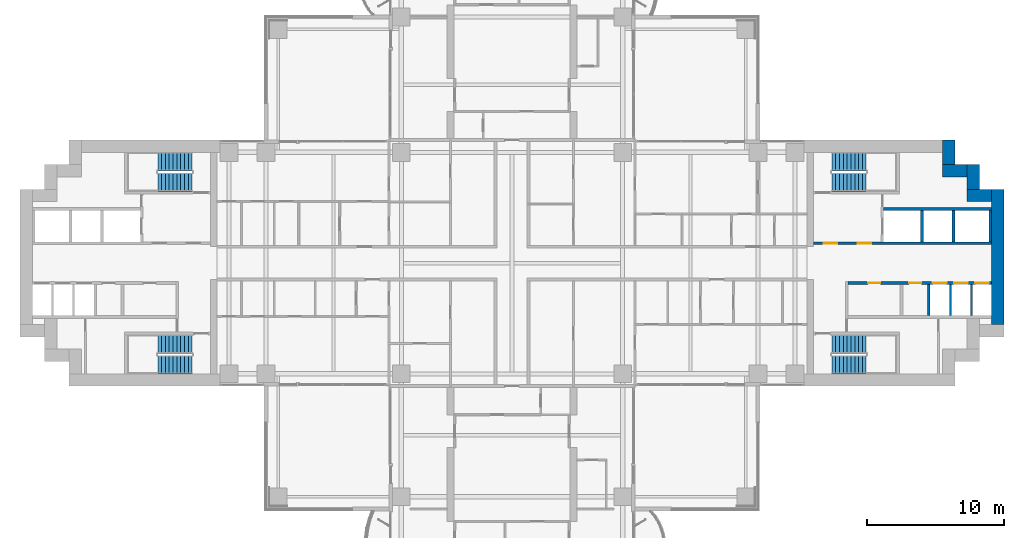
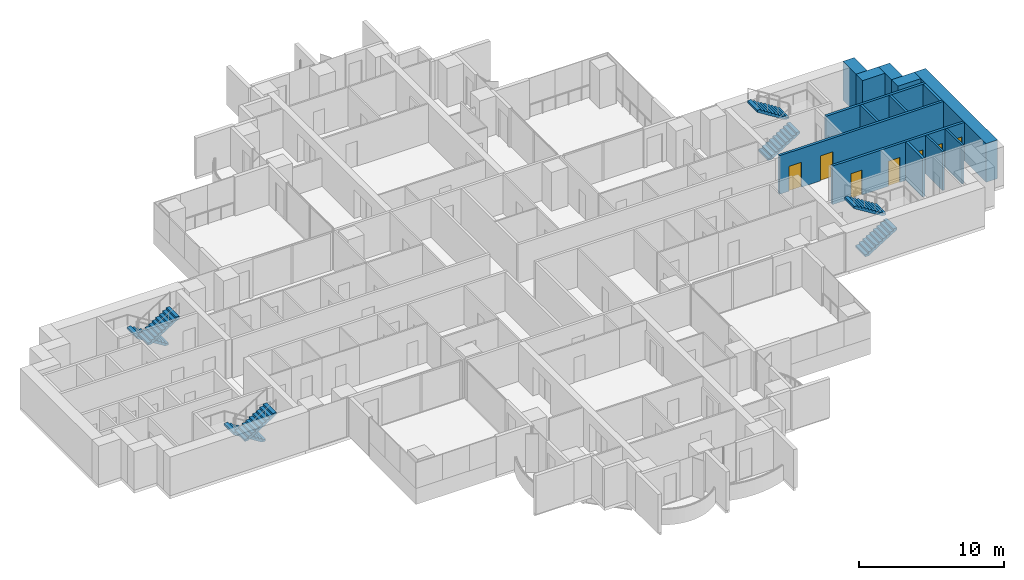
# One storey, part 16 of 20: 14 walls, 8 stair flights, 7 doors, 7 openings, 4 elements without a shape of their own.
"""IFC4 building model written with IfcOpenShell, lengths in metres."""

from ifc_helpers import new_model, si_unit, direction, frame, frame_2d, origin, place, context, subcontext, project, spatial, polyline, rectangle, outline, extrude, material, layer, layer_set, type_object, element, fill, aggregate, save


model = new_model("IFC4")

# Units and contexts
model_context = context("Model", 3, precision=1e-05, world=origin(), true_north=direction((0.0, 1.0)))
body_context = subcontext(model_context, "Body", "Model", "MODEL_VIEW")
ifc_project = project(units=[si_unit("LENGTHUNIT", "METRE"), si_unit("AREAUNIT", "SQUARE_METRE"), si_unit("VOLUMEUNIT", "CUBIC_METRE"), si_unit("PLANEANGLEUNIT", "RADIAN"), si_unit("MASSUNIT", "GRAM", prefix="KILO")], contexts=[model_context])

# Site, building, storey
site_placement = place(None, origin())
site = spatial("IfcSite", under=ifc_project, at=site_placement, CompositionType="ELEMENT")
building_placement = place(site_placement, origin())
building = spatial("IfcBuilding", under=site, at=building_placement, Name="Perihelion Cross Residences", CompositionType="ELEMENT")
storey_placement = place(building_placement, frame((0.0, 0.0, 68.0)))
storey = spatial("IfcBuildingStorey", under=building, at=storey_placement, Name="L14", CompositionType="ELEMENT", Elevation=68.0)

# Walls
ifc_material_1 = material(Name="Concrete C60/75", Category="concrete")
ifc_layer_1 = layer(ifc_material_1, 0.89990234375)
ifc_layer_set_1 = layer_set([ifc_layer_1], Name="Core wall, outer 900")
wall_type_1 = type_object("IfcWallType", Name="Core wall, outer 900", PredefinedType="SHEAR", material=ifc_layer_set_1)
wall_1_placement = place(storey_placement, frame((35.550048828125, -4.5, 0.0), z_axis=(0.0, 0.0, 1.0), x_axis=(0.0, 1.0, 0.0)))
element("IfcWall", 1, at=wall_1_placement, inside=storey, type_object=wall_type_1, Name="East core core wall, outer", PredefinedType="SHEAR", context=body_context, shape_type="SweptSolid", body=[
    extrude(rectangle(XDim=9.89990234375, YDim=0.89990234375, at=frame_2d((4.949951171875, 0.0))), origin(), (0.0, 0.0, 1.0), 3.25),
])
for number, where, z_axis, x_axis, name in (
    (2, (33.300048828125, 4.949951171875, 0.0), (0.0, 0.0, 1.0), (1.0, 0.0, 0.0), "East core core wall, outer"),
    (3, (33.75, 5.39990234375, 0.0), (0.0, 0.0, 1.0), (0.0, 1.0, 0.0), "East core core wall, outer"),
    (4, (31.5, 6.75, 0.0), (0.0, 0.0, 1.0), (1.0, 0.0, 0.0), "East core core wall, outer"),
    (5, (31.949951171875, 7.199951171875, 0.0), (0.0, 0.0, 1.0), (0.0, 1.0, 0.0), "East core core wall, outer"),
):
    element("IfcWall", number, at=place(storey_placement, frame(where, z_axis=z_axis, x_axis=x_axis)), inside=storey, type_object=wall_type_1, Name=name, PredefinedType="SHEAR", context=body_context, shape_type="SweptSolid", body=[
        extrude(rectangle(XDim=1.800048828125, YDim=0.89990234375, at=frame_2d((0.89990234375, 0.0))), origin(), (0.0, 0.0, 1.0), 3.25),
    ])
ifc_material_2 = material(Name="Concrete C50/60", Category="concrete")
ifc_layer_2 = layer(ifc_material_2, 0.14990234375)
ifc_layer_set_2 = layer_set([ifc_layer_2], Name="Shaft wall 150")
wall_type_2 = type_object("IfcWallType", Name="Shaft wall 150", PredefinedType="SOLIDWALL", material=ifc_layer_set_2)
for number, where, z_axis, x_axis, name in (
    (6, (32.074951171875, -3.85009765625, 0.0), (0.0, 0.0, 1.0), (0.0, 1.0, 0.0), "East core shaft wall"),
    (7, (33.625, -3.85009765625, 0.0), (0.0, 0.0, 1.0), (0.0, 1.0, 0.0), "East core shaft wall"),
):
    element("IfcWall", number, at=place(storey_placement, frame(where, z_axis=z_axis, x_axis=x_axis)), inside=storey, type_object=wall_type_2, Name=name, PredefinedType="SOLIDWALL", context=body_context, shape_type="SweptSolid", body=[
        extrude(rectangle(XDim=2.300048828125, YDim=0.14990234375, at=frame_2d((1.14990234375, 0.0))), origin(), (0.0, 0.0, 1.0), 3.25),
    ])

# Wall, openings, doors
ifc_material_3 = material(Name="Concrete C50/60", Category="concrete")
ifc_layer_3 = layer(ifc_material_3, 0.199951171875)
ifc_layer_set_3 = layer_set([ifc_layer_3], Name="Shaft wall 200")
wall_type_3 = type_object("IfcWallType", Name="Shaft wall 200", PredefinedType="SOLIDWALL", material=ifc_layer_set_3)
wall_2_placement = place(storey_placement, frame((22.050048828125, 1.449951171875, 0.0), z_axis=(0.0, 0.0, 1.0), x_axis=(1.0, 0.0, 0.0)))
wall_2 = element("IfcWall", 8, at=wall_2_placement, inside=storey, type_object=wall_type_3, Name="East core shaft wall", PredefinedType="SOLIDWALL", context=body_context, shape_type="SweptSolid", body=[
    extrude(rectangle(XDim=13.050048828125, YDim=0.199951171875, at=frame_2d((6.52490234375, 0.0))), origin(), (0.0, 0.0, 1.0), 3.25),
])
opening_1_placement = place(wall_2_placement, frame((0.75, 0.0, 0.0)))
opening_1 = element("IfcOpeningElement", 9, at=opening_1_placement, cuts=wall_2, Name="Opening L14.C07", PredefinedType="OPENING", context=body_context, shape_type="SweptSolid", body=[
    extrude(rectangle(XDim=1.0, YDim=2.10009765625, at=frame_2d((0.5, 1.050048828125))), frame((0.0, 0.10986328125, 0.0), z_axis=(0.0, -1.0, 0.0), x_axis=(1.0, 0.0, 0.0)), (0.0, 0.0, 1.0), 0.219970703125),
])
opening_2_placement = place(wall_2_placement, frame((3.25, 0.0, 0.0)))
opening_2 = element("IfcOpeningElement", 10, at=opening_2_placement, cuts=wall_2, Name="Opening L14.C09", PredefinedType="OPENING", context=body_context, shape_type="SweptSolid", body=[
    extrude(rectangle(XDim=1.0, YDim=2.10009765625, at=frame_2d((0.5, 1.050048828125))), frame((0.0, 0.10986328125, 0.0), z_axis=(0.0, -1.0, 0.0), x_axis=(1.0, 0.0, 0.0)), (0.0, 0.0, 1.0), 0.219970703125),
])
ifc_material_4 = material(Name="Steel, powder coated", Category="steel")
door_type_1 = type_object("IfcDoorType", Name="Lobby door 1000", OperationType="SINGLE_SWING_LEFT", PredefinedType="DOOR", material=ifc_material_4)
door_1_placement = place(opening_1_placement, origin())
door_1 = element("IfcDoor", 11, at=door_1_placement, inside=storey, type_object=door_type_1, Name="East core firefighting lobby door", OperationType="SINGLE_SWING_LEFT", OverallHeight=2.10009765625, OverallWidth=1.0, PredefinedType="DOOR", context=body_context, shape_type="SweptSolid", body=[
    extrude(rectangle(XDim=1.0, YDim=2.10009765625, at=frame_2d((0.5, 1.050048828125))), frame((0.0, 0.02490234375, 0.0), z_axis=(0.0, -1.0, 0.0), x_axis=(1.0, 0.0, 0.0)), (0.0, 0.0, 1.0), 0.050048828125),
])
fill(opening_1, door_1)
door_2_placement = place(opening_2_placement, origin())
door_2 = element("IfcDoor", 12, at=door_2_placement, inside=storey, type_object=door_type_1, Name="East core firefighting lobby door", OperationType="SINGLE_SWING_LEFT", OverallHeight=2.10009765625, OverallWidth=1.0, PredefinedType="DOOR", context=body_context, shape_type="SweptSolid", body=[
    extrude(rectangle(XDim=1.0, YDim=2.10009765625, at=frame_2d((0.5, 1.050048828125))), frame((0.0, 0.02490234375, 0.0), z_axis=(0.0, -1.0, 0.0), x_axis=(1.0, 0.0, 0.0)), (0.0, 0.0, 1.0), 0.050048828125),
])
fill(opening_2, door_2)

wall_3_placement = place(storey_placement, frame((24.60009765625, -1.449951171875, 0.0), z_axis=(0.0, 0.0, 1.0), x_axis=(1.0, 0.0, 0.0)))
wall_3 = element("IfcWall", 13, at=wall_3_placement, inside=storey, type_object=wall_type_3, Name="East core shaft wall", PredefinedType="SOLIDWALL", context=body_context, shape_type="SweptSolid", body=[
    extrude(rectangle(XDim=10.5, YDim=0.199951171875, at=frame_2d((5.25, 0.0))), origin(), (0.0, 0.0, 1.0), 3.25),
])
opening_3_placement = place(wall_3_placement, frame((6.199951171875, 0.0, 0.0)))
opening_3 = element("IfcOpeningElement", 14, at=opening_3_placement, cuts=wall_3, Name="Opening L14.C02", PredefinedType="OPENING", context=body_context, shape_type="SweptSolid", body=[
    extrude(rectangle(XDim=1.0, YDim=2.10009765625, at=frame_2d((0.5, 1.050048828125))), frame((0.0, 0.10986328125, 0.0), z_axis=(0.0, -1.0, 0.0), x_axis=(1.0, 0.0, 0.0)), (0.0, 0.0, 1.0), 0.219970703125),
])
opening_4_placement = place(wall_3_placement, frame((7.75, 0.0, 0.0)))
opening_4 = element("IfcOpeningElement", 15, at=opening_4_placement, cuts=wall_3, Name="Opening L14.C03", PredefinedType="OPENING", context=body_context, shape_type="SweptSolid", body=[
    extrude(rectangle(XDim=1.0, YDim=2.10009765625, at=frame_2d((0.5, 1.050048828125))), frame((0.0, 0.10986328125, 0.0), z_axis=(0.0, -1.0, 0.0), x_axis=(1.0, 0.0, 0.0)), (0.0, 0.0, 1.0), 0.219970703125),
])
opening_5_placement = place(wall_3_placement, frame((9.300048828125, 0.0, 0.0)))
opening_5 = element("IfcOpeningElement", 16, at=opening_5_placement, cuts=wall_3, Name="Opening L14.C04", PredefinedType="OPENING", context=body_context, shape_type="SweptSolid", body=[
    extrude(rectangle(XDim=1.0, YDim=2.10009765625, at=frame_2d((0.5, 1.050048828125))), frame((0.0, 0.10986328125, 0.0), z_axis=(0.0, -1.0, 0.0), x_axis=(1.0, 0.0, 0.0)), (0.0, 0.0, 1.0), 0.219970703125),
])
opening_6_placement = place(wall_3_placement, frame((1.449951171875, 0.0, 0.0)))
opening_6 = element("IfcOpeningElement", 17, at=opening_6_placement, cuts=wall_3, Name="Opening L14.C10", PredefinedType="OPENING", context=body_context, shape_type="SweptSolid", body=[
    extrude(rectangle(XDim=0.89990234375, YDim=2.10009765625, at=frame_2d((0.449951171875, 1.050048828125))), frame((0.0, 0.10986328125, 0.0), z_axis=(0.0, -1.0, 0.0), x_axis=(1.0, 0.0, 0.0)), (0.0, 0.0, 1.0), 0.219970703125),
])
opening_7_placement = place(wall_3_placement, frame((4.449951171875, 0.0, 0.0)))
opening_7 = element("IfcOpeningElement", 18, at=opening_7_placement, cuts=wall_3, Name="Opening L14.C12", PredefinedType="OPENING", context=body_context, shape_type="SweptSolid", body=[
    extrude(rectangle(XDim=0.89990234375, YDim=2.10009765625, at=frame_2d((0.449951171875, 1.050048828125))), frame((0.0, 0.10986328125, 0.0), z_axis=(0.0, -1.0, 0.0), x_axis=(1.0, 0.0, 0.0)), (0.0, 0.0, 1.0), 0.219970703125),
])
ifc_material_5 = material(Name="Stainless steel", Category="steel")
door_type_2 = type_object("IfcDoorType", Name="Landing door 1000", OperationType="DOUBLE_DOOR_SLIDING", PredefinedType="DOOR", material=ifc_material_5)
door_3_placement = place(opening_3_placement, origin())
door_3 = element("IfcDoor", 19, at=door_3_placement, inside=storey, type_object=door_type_2, Name="Landing door, East core low-rise lift 1", OperationType="DOUBLE_DOOR_SLIDING", OverallHeight=2.10009765625, OverallWidth=1.0, PredefinedType="DOOR", context=body_context, shape_type="SweptSolid", body=[
    extrude(rectangle(XDim=1.0, YDim=2.10009765625, at=frame_2d((0.5, 1.050048828125))), frame((0.0, 0.02490234375, 0.0), z_axis=(0.0, -1.0, 0.0), x_axis=(1.0, 0.0, 0.0)), (0.0, 0.0, 1.0), 0.050048828125),
])
fill(opening_3, door_3)
door_4_placement = place(opening_4_placement, origin())
door_4 = element("IfcDoor", 20, at=door_4_placement, inside=storey, type_object=door_type_2, Name="Landing door, East core low-rise lift 2", OperationType="DOUBLE_DOOR_SLIDING", OverallHeight=2.10009765625, OverallWidth=1.0, PredefinedType="DOOR", context=body_context, shape_type="SweptSolid", body=[
    extrude(rectangle(XDim=1.0, YDim=2.10009765625, at=frame_2d((0.5, 1.050048828125))), frame((0.0, 0.02490234375, 0.0), z_axis=(0.0, -1.0, 0.0), x_axis=(1.0, 0.0, 0.0)), (0.0, 0.0, 1.0), 0.050048828125),
])
fill(opening_4, door_4)
door_5_placement = place(opening_5_placement, origin())
door_5 = element("IfcDoor", 21, at=door_5_placement, inside=storey, type_object=door_type_2, Name="Landing door, East core low-rise lift 3", OperationType="DOUBLE_DOOR_SLIDING", OverallHeight=2.10009765625, OverallWidth=1.0, PredefinedType="DOOR", context=body_context, shape_type="SweptSolid", body=[
    extrude(rectangle(XDim=1.0, YDim=2.10009765625, at=frame_2d((0.5, 1.050048828125))), frame((0.0, 0.02490234375, 0.0), z_axis=(0.0, -1.0, 0.0), x_axis=(1.0, 0.0, 0.0)), (0.0, 0.0, 1.0), 0.050048828125),
])
fill(opening_5, door_5)
ifc_material_6 = material(Name="Steel, powder coated", Category="steel")
door_type_3 = type_object("IfcDoorType", Name="Service room door 900", OperationType="SINGLE_SWING_LEFT", PredefinedType="DOOR", material=ifc_material_6)
door_6_placement = place(opening_6_placement, origin())
door_6 = element("IfcDoor", 22, at=door_6_placement, inside=storey, type_object=door_type_3, Name="East core service room door", OperationType="SINGLE_SWING_LEFT", OverallHeight=2.10009765625, OverallWidth=0.89990234375, PredefinedType="DOOR", context=body_context, shape_type="SweptSolid", body=[
    extrude(rectangle(XDim=0.89990234375, YDim=2.10009765625, at=frame_2d((0.449951171875, 1.050048828125))), frame((0.0, 0.02490234375, 0.0), z_axis=(0.0, -1.0, 0.0), x_axis=(1.0, 0.0, 0.0)), (0.0, 0.0, 1.0), 0.050048828125),
])
fill(opening_6, door_6)
door_7_placement = place(opening_7_placement, origin())
door_7 = element("IfcDoor", 23, at=door_7_placement, inside=storey, type_object=door_type_3, Name="East core service room door", OperationType="SINGLE_SWING_LEFT", OverallHeight=2.10009765625, OverallWidth=0.89990234375, PredefinedType="DOOR", context=body_context, shape_type="SweptSolid", body=[
    extrude(rectangle(XDim=0.89990234375, YDim=2.10009765625, at=frame_2d((0.449951171875, 1.050048828125))), frame((0.0, 0.02490234375, 0.0), z_axis=(0.0, -1.0, 0.0), x_axis=(1.0, 0.0, 0.0)), (0.0, 0.0, 1.0), 0.050048828125),
])
fill(opening_7, door_7)

# Walls
wall_4_placement = place(storey_placement, frame((27.199951171875, 3.949951171875, 0.0), z_axis=(0.0, 0.0, 1.0), x_axis=(1.0, 0.0, 0.0)))
element("IfcWall", 24, at=wall_4_placement, inside=storey, type_object=wall_type_3, Name="East core shaft wall", PredefinedType="SOLIDWALL", context=body_context, shape_type="SweptSolid", body=[
    extrude(rectangle(XDim=7.900146484375, YDim=0.199951171875, at=frame_2d((3.9501953125, 0.0))), origin(), (0.0, 0.0, 1.0), 3.25),
])
for number, where, z_axis, x_axis, name in (
    (25, (30.0, 1.550048828125, 0.0), (0.0, 0.0, 1.0), (0.0, 1.0, 0.0), "East core shaft wall"),
    (26, (32.300048828125, 1.550048828125, 0.0), (0.0, 0.0, 1.0), (0.0, 1.0, 0.0), "East core shaft wall"),
    (27, (35.0, 1.550048828125, 0.0), (0.0, 0.0, 1.0), (0.0, 1.0, 0.0), "East core shaft wall"),
    (28, (30.5, -3.85009765625, 0.0), (0.0, 0.0, 1.0), (0.0, 1.0, 0.0), "East core shaft wall"),
):
    element("IfcWall", number, at=place(storey_placement, frame(where, z_axis=z_axis, x_axis=x_axis)), inside=storey, type_object=wall_type_3, Name=name, PredefinedType="SOLIDWALL", context=body_context, shape_type="SweptSolid", body=[
        extrude(rectangle(XDim=2.300048828125, YDim=0.199951171875, at=frame_2d((1.14990234375, 0.0))), origin(), (0.0, 0.0, 1.0), 3.25),
    ])

# Stair, stair flights
ifc_material_7 = material(Name="Concrete C40/50", Category="concrete")
stair_type = type_object("IfcStairType", Name="Exit stair, half-turn", PredefinedType="HALF_TURN_STAIR", material=ifc_material_7)
stair_1_placement = place(storey_placement, origin())
stair_1 = element("IfcStair", 29, at=stair_1_placement, inside=storey, type_object=stair_type, Name="L14 East core exit stair 1", PredefinedType="HALF_TURN_STAIR")
ifc_material_8 = material(Name="Concrete C40/50", Category="concrete")
stair_flight_type = type_object("IfcStairFlightType", Name="Exit stair flight", PredefinedType="STRAIGHT", material=ifc_material_8)
stair_flight_1_placement = place(storey_placement, frame((23.39990234375, 5.925048828125, 0.0), z_axis=(0.0, 0.0, 1.0), x_axis=(1.0, 0.0, 0.0)))
stair_flight_1 = element("IfcStairFlight", 30, at=stair_flight_1_placement, type_object=stair_flight_type, Name="ST-E1 flight 1", NumberOfRisers=10, NumberOfTreads=9, PredefinedType="STRAIGHT", RiserHeight=0.175, TreadLength=0.28, context=body_context, shape_type="SweptSolid", body=[
    extrude(outline(polyline([(0.0, 0.0), (0.0, 0.175048828125), (0.280029296875, 0.175048828125), (0.280029296875, 0.35009765625), (0.56005859375, 0.35009765625), (0.56005859375, 0.52490234375), (0.840087890625, 0.52490234375), (0.840087890625, 0.699951171875), (1.1201171875, 0.699951171875), (1.1201171875, 0.875), (1.39990234375, 0.875), (1.39990234375, 1.050048828125), (1.679931640625, 1.050048828125), (1.679931640625, 1.22509765625), (1.9599609375, 1.22509765625), (1.9599609375, 1.39990234375), (2.239990234375, 1.39990234375), (2.239990234375, 1.574951171875), (2.52001953125, 1.574951171875), (2.52001953125, 1.75), (2.52001953125, 1.398193359375), (0.28271484375, 0.0), (0.0, 0.0)])), frame((0.0, 0.675048828125, 0.0), z_axis=(0.0, -1.0, 0.0), x_axis=(1.0, 0.0, 0.0)), (0.0, 0.0, 1.0), 1.35009765625),
])
stair_flight_2_placement = place(storey_placement, frame((25.919921875, 7.425048828125, 1.75), z_axis=(0.0, 0.0, 1.0), x_axis=(-1.0, 0.0, 0.0)))
stair_flight_2 = element("IfcStairFlight", 31, at=stair_flight_2_placement, type_object=stair_flight_type, Name="ST-E1 flight 2", NumberOfRisers=10, NumberOfTreads=9, PredefinedType="STRAIGHT", RiserHeight=0.175, TreadLength=0.28, context=body_context, shape_type="SweptSolid", body=[
    extrude(outline(polyline([(0.0, 0.0), (0.0, 0.175048828125), (0.280029296875, 0.175048828125), (0.280029296875, 0.35009765625), (0.56005859375, 0.35009765625), (0.56005859375, 0.52490234375), (0.840087890625, 0.52490234375), (0.840087890625, 0.699951171875), (1.1201171875, 0.699951171875), (1.1201171875, 0.875), (1.39990234375, 0.875), (1.39990234375, 1.050048828125), (1.679931640625, 1.050048828125), (1.679931640625, 1.22509765625), (1.9599609375, 1.22509765625), (1.9599609375, 1.39990234375), (2.239990234375, 1.39990234375), (2.239990234375, 1.574951171875), (2.52001953125, 1.574951171875), (2.52001953125, 1.75), (2.52001953125, 1.398193359375), (0.28271484375, 0.0), (0.0, 0.0)])), frame((0.0, 0.675048828125, 0.0), z_axis=(0.0, -1.0, 0.0), x_axis=(1.0, 0.0, 0.0)), (0.0, 0.0, 1.0), 1.35009765625),
])
aggregate(stair_1, [stair_flight_1, stair_flight_2])

stair_2_placement = place(storey_placement, origin())
stair_2 = element("IfcStair", 32, at=stair_2_placement, inside=storey, type_object=stair_type, Name="L14 East core exit stair 2", PredefinedType="HALF_TURN_STAIR")
stair_flight_3_placement = place(storey_placement, frame((23.39990234375, -7.425048828125, 0.0), z_axis=(0.0, 0.0, 1.0), x_axis=(1.0, 0.0, 0.0)))
stair_flight_3 = element("IfcStairFlight", 33, at=stair_flight_3_placement, type_object=stair_flight_type, Name="ST-E2 flight 1", NumberOfRisers=10, NumberOfTreads=9, PredefinedType="STRAIGHT", RiserHeight=0.175, TreadLength=0.28, context=body_context, shape_type="SweptSolid", body=[
    extrude(outline(polyline([(0.0, 0.0), (0.0, 0.175048828125), (0.280029296875, 0.175048828125), (0.280029296875, 0.35009765625), (0.56005859375, 0.35009765625), (0.56005859375, 0.52490234375), (0.840087890625, 0.52490234375), (0.840087890625, 0.699951171875), (1.1201171875, 0.699951171875), (1.1201171875, 0.875), (1.39990234375, 0.875), (1.39990234375, 1.050048828125), (1.679931640625, 1.050048828125), (1.679931640625, 1.22509765625), (1.9599609375, 1.22509765625), (1.9599609375, 1.39990234375), (2.239990234375, 1.39990234375), (2.239990234375, 1.574951171875), (2.52001953125, 1.574951171875), (2.52001953125, 1.75), (2.52001953125, 1.398193359375), (0.28271484375, 0.0), (0.0, 0.0)])), frame((0.0, 0.675048828125, 0.0), z_axis=(0.0, -1.0, 0.0), x_axis=(1.0, 0.0, 0.0)), (0.0, 0.0, 1.0), 1.35009765625),
])
stair_flight_4_placement = place(storey_placement, frame((25.919921875, -5.925048828125, 1.75), z_axis=(0.0, 0.0, 1.0), x_axis=(-1.0, 0.0, 0.0)))
stair_flight_4 = element("IfcStairFlight", 34, at=stair_flight_4_placement, type_object=stair_flight_type, Name="ST-E2 flight 2", NumberOfRisers=10, NumberOfTreads=9, PredefinedType="STRAIGHT", RiserHeight=0.175, TreadLength=0.28, context=body_context, shape_type="SweptSolid", body=[
    extrude(outline(polyline([(0.0, 0.0), (0.0, 0.175048828125), (0.280029296875, 0.175048828125), (0.280029296875, 0.35009765625), (0.56005859375, 0.35009765625), (0.56005859375, 0.52490234375), (0.840087890625, 0.52490234375), (0.840087890625, 0.699951171875), (1.1201171875, 0.699951171875), (1.1201171875, 0.875), (1.39990234375, 0.875), (1.39990234375, 1.050048828125), (1.679931640625, 1.050048828125), (1.679931640625, 1.22509765625), (1.9599609375, 1.22509765625), (1.9599609375, 1.39990234375), (2.239990234375, 1.39990234375), (2.239990234375, 1.574951171875), (2.52001953125, 1.574951171875), (2.52001953125, 1.75), (2.52001953125, 1.398193359375), (0.28271484375, 0.0), (0.0, 0.0)])), frame((0.0, 0.675048828125, 0.0), z_axis=(0.0, -1.0, 0.0), x_axis=(1.0, 0.0, 0.0)), (0.0, 0.0, 1.0), 1.35009765625),
])
aggregate(stair_2, [stair_flight_3, stair_flight_4])

stair_3_placement = place(storey_placement, origin())
stair_3 = element("IfcStair", 35, at=stair_3_placement, inside=storey, type_object=stair_type, Name="L14 West core exit stair 1", PredefinedType="HALF_TURN_STAIR")
stair_flight_5_placement = place(storey_placement, frame((-23.39990234375, 7.425048828125, 0.0), z_axis=(0.0, 0.0, 1.0), x_axis=(-1.0, 0.0, 0.0)))
stair_flight_5 = element("IfcStairFlight", 36, at=stair_flight_5_placement, type_object=stair_flight_type, Name="ST-W1 flight 1", NumberOfRisers=10, NumberOfTreads=9, PredefinedType="STRAIGHT", RiserHeight=0.175, TreadLength=0.28, context=body_context, shape_type="SweptSolid", body=[
    extrude(outline(polyline([(0.0, 0.0), (0.0, 0.175048828125), (0.280029296875, 0.175048828125), (0.280029296875, 0.35009765625), (0.56005859375, 0.35009765625), (0.56005859375, 0.52490234375), (0.840087890625, 0.52490234375), (0.840087890625, 0.699951171875), (1.1201171875, 0.699951171875), (1.1201171875, 0.875), (1.39990234375, 0.875), (1.39990234375, 1.050048828125), (1.679931640625, 1.050048828125), (1.679931640625, 1.22509765625), (1.9599609375, 1.22509765625), (1.9599609375, 1.39990234375), (2.239990234375, 1.39990234375), (2.239990234375, 1.574951171875), (2.52001953125, 1.574951171875), (2.52001953125, 1.75), (2.52001953125, 1.398193359375), (0.28271484375, 0.0), (0.0, 0.0)])), frame((0.0, 0.675048828125, 0.0), z_axis=(0.0, -1.0, 0.0), x_axis=(1.0, 0.0, 0.0)), (0.0, 0.0, 1.0), 1.35009765625),
])
stair_flight_6_placement = place(storey_placement, frame((-25.919921875, 5.925048828125, 1.75), z_axis=(0.0, 0.0, 1.0), x_axis=(1.0, 0.0, 0.0)))
stair_flight_6 = element("IfcStairFlight", 37, at=stair_flight_6_placement, type_object=stair_flight_type, Name="ST-W1 flight 2", NumberOfRisers=10, NumberOfTreads=9, PredefinedType="STRAIGHT", RiserHeight=0.175, TreadLength=0.28, context=body_context, shape_type="SweptSolid", body=[
    extrude(outline(polyline([(0.0, 0.0), (0.0, 0.175048828125), (0.280029296875, 0.175048828125), (0.280029296875, 0.35009765625), (0.56005859375, 0.35009765625), (0.56005859375, 0.52490234375), (0.840087890625, 0.52490234375), (0.840087890625, 0.699951171875), (1.1201171875, 0.699951171875), (1.1201171875, 0.875), (1.39990234375, 0.875), (1.39990234375, 1.050048828125), (1.679931640625, 1.050048828125), (1.679931640625, 1.22509765625), (1.9599609375, 1.22509765625), (1.9599609375, 1.39990234375), (2.239990234375, 1.39990234375), (2.239990234375, 1.574951171875), (2.52001953125, 1.574951171875), (2.52001953125, 1.75), (2.52001953125, 1.398193359375), (0.28271484375, 0.0), (0.0, 0.0)])), frame((0.0, 0.675048828125, 0.0), z_axis=(0.0, -1.0, 0.0), x_axis=(1.0, 0.0, 0.0)), (0.0, 0.0, 1.0), 1.35009765625),
])
aggregate(stair_3, [stair_flight_5, stair_flight_6])

stair_4_placement = place(storey_placement, origin())
stair_4 = element("IfcStair", 38, at=stair_4_placement, inside=storey, type_object=stair_type, Name="L14 West core exit stair 2", PredefinedType="HALF_TURN_STAIR")
stair_flight_7_placement = place(storey_placement, frame((-23.39990234375, -5.925048828125, 0.0), z_axis=(0.0, 0.0, 1.0), x_axis=(-1.0, 0.0, 0.0)))
stair_flight_7 = element("IfcStairFlight", 39, at=stair_flight_7_placement, type_object=stair_flight_type, Name="ST-W2 flight 1", NumberOfRisers=10, NumberOfTreads=9, PredefinedType="STRAIGHT", RiserHeight=0.175, TreadLength=0.28, context=body_context, shape_type="SweptSolid", body=[
    extrude(outline(polyline([(0.0, 0.0), (0.0, 0.175048828125), (0.280029296875, 0.175048828125), (0.280029296875, 0.35009765625), (0.56005859375, 0.35009765625), (0.56005859375, 0.52490234375), (0.840087890625, 0.52490234375), (0.840087890625, 0.699951171875), (1.1201171875, 0.699951171875), (1.1201171875, 0.875), (1.39990234375, 0.875), (1.39990234375, 1.050048828125), (1.679931640625, 1.050048828125), (1.679931640625, 1.22509765625), (1.9599609375, 1.22509765625), (1.9599609375, 1.39990234375), (2.239990234375, 1.39990234375), (2.239990234375, 1.574951171875), (2.52001953125, 1.574951171875), (2.52001953125, 1.75), (2.52001953125, 1.398193359375), (0.28271484375, 0.0), (0.0, 0.0)])), frame((0.0, 0.675048828125, 0.0), z_axis=(0.0, -1.0, 0.0), x_axis=(1.0, 0.0, 0.0)), (0.0, 0.0, 1.0), 1.35009765625),
])
stair_flight_8_placement = place(storey_placement, frame((-25.919921875, -7.425048828125, 1.75), z_axis=(0.0, 0.0, 1.0), x_axis=(1.0, 0.0, 0.0)))
stair_flight_8 = element("IfcStairFlight", 40, at=stair_flight_8_placement, type_object=stair_flight_type, Name="ST-W2 flight 2", NumberOfRisers=10, NumberOfTreads=9, PredefinedType="STRAIGHT", RiserHeight=0.175, TreadLength=0.28, context=body_context, shape_type="SweptSolid", body=[
    extrude(outline(polyline([(0.0, 0.0), (0.0, 0.175048828125), (0.280029296875, 0.175048828125), (0.280029296875, 0.35009765625), (0.56005859375, 0.35009765625), (0.56005859375, 0.52490234375), (0.840087890625, 0.52490234375), (0.840087890625, 0.699951171875), (1.1201171875, 0.699951171875), (1.1201171875, 0.875), (1.39990234375, 0.875), (1.39990234375, 1.050048828125), (1.679931640625, 1.050048828125), (1.679931640625, 1.22509765625), (1.9599609375, 1.22509765625), (1.9599609375, 1.39990234375), (2.239990234375, 1.39990234375), (2.239990234375, 1.574951171875), (2.52001953125, 1.574951171875), (2.52001953125, 1.75), (2.52001953125, 1.398193359375), (0.28271484375, 0.0), (0.0, 0.0)])), frame((0.0, 0.675048828125, 0.0), z_axis=(0.0, -1.0, 0.0), x_axis=(1.0, 0.0, 0.0)), (0.0, 0.0, 1.0), 1.35009765625),
])
aggregate(stair_4, [stair_flight_7, stair_flight_8])

save(model, "model.ifc")
